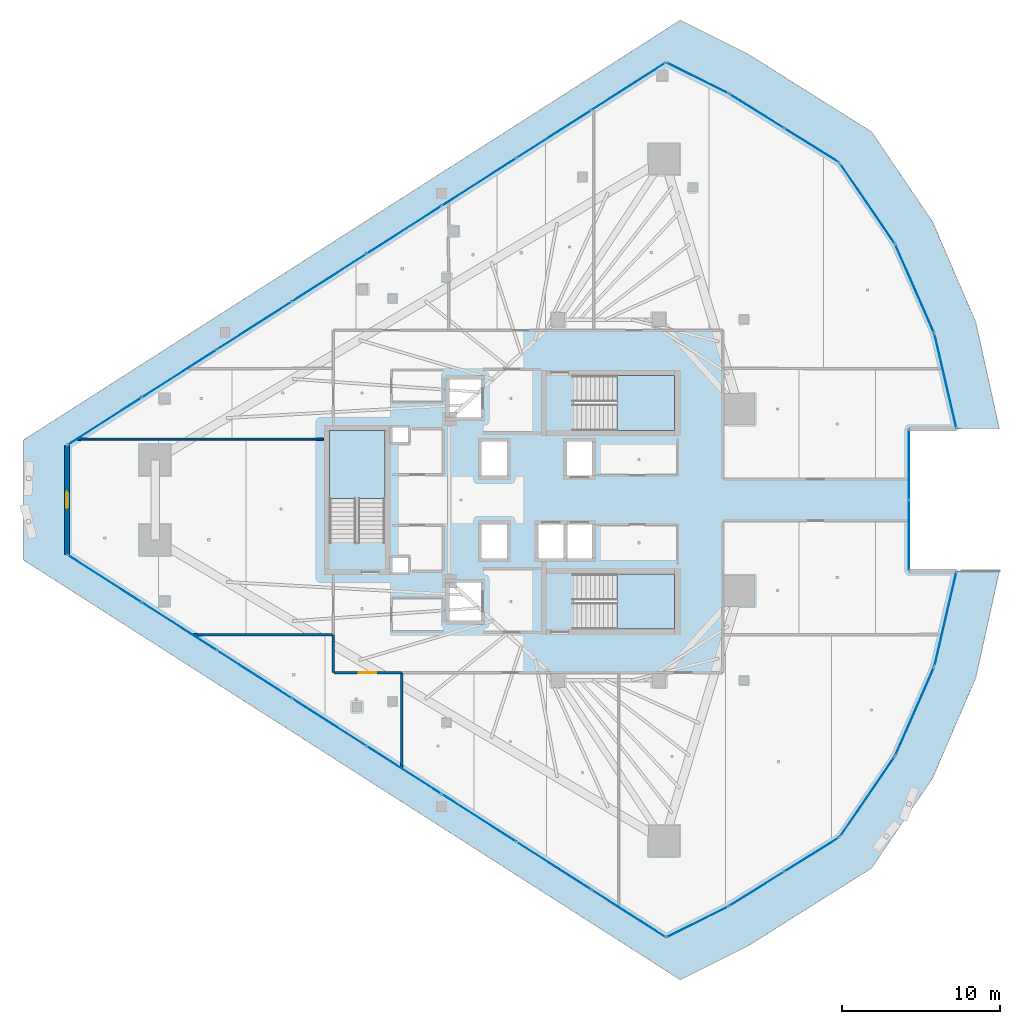
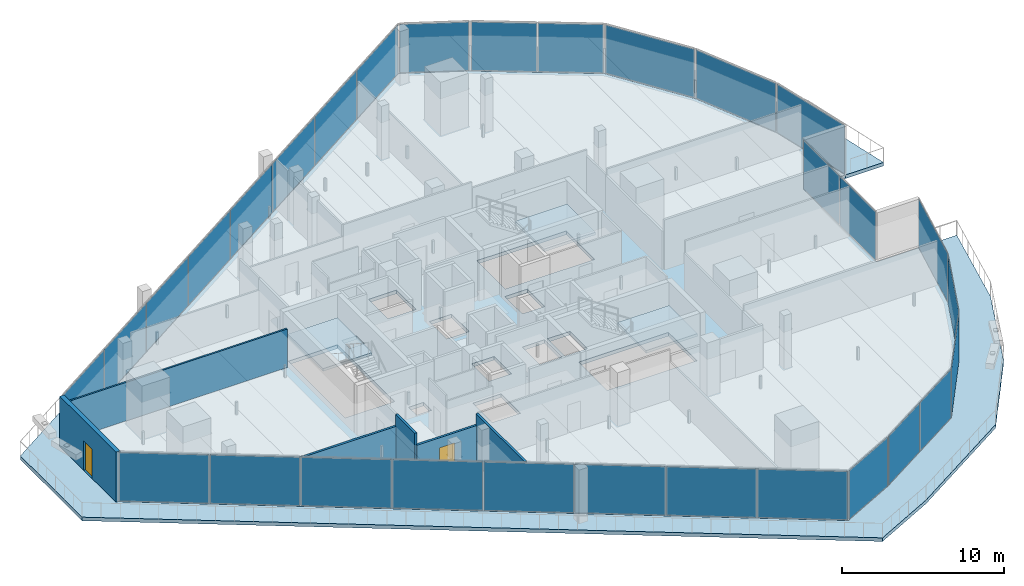
# One storey, part 24 of 37: 30 plates, 6 walls, 5 slabs, 2 doors, 2 openings, 16 elements without a shape of their own.
"""IFC4 building model written with IfcOpenShell, lengths in metres."""

from ifc_helpers import new_model, si_unit, direction, frame, frame_2d, origin, origin_2d, place, context, subcontext, project, spatial, polyline, rectangle, outline, extrude, material, layer, layer_set, type_object, element, fill, aggregate, save


model = new_model("IFC4")

# Units and contexts
model_context = context("Model", 3, precision=1e-05, world=origin(), true_north=direction((0.0, 1.0)))
body_context = subcontext(model_context, "Body", "Model", "MODEL_VIEW")
ifc_project = project(units=[si_unit("LENGTHUNIT", "METRE"), si_unit("AREAUNIT", "SQUARE_METRE"), si_unit("VOLUMEUNIT", "CUBIC_METRE"), si_unit("PLANEANGLEUNIT", "RADIAN"), si_unit("MASSUNIT", "GRAM", prefix="KILO")], contexts=[model_context])

# Site, building, storey
site_placement = place(None, origin())
site = spatial("IfcSite", under=ifc_project, at=site_placement, CompositionType="ELEMENT")
building_placement = place(site_placement, origin())
building = spatial("IfcBuilding", under=site, at=building_placement, Name="Qorvath Tower", CompositionType="ELEMENT")
storey_placement = place(building_placement, frame((0.0, 0.0, 196.949951171875)))
storey = spatial("IfcBuildingStorey", under=building, at=storey_placement, Name="L45", CompositionType="ELEMENT", Elevation=196.949951171875)

# Curtain wall, plates
ifc_material_1 = material(Name="Anodised aluminium and triple low-E glass", Category="aluminium")
ifc_layer_1 = layer(ifc_material_1, 0.179931640625)
ifc_layer_set_1 = layer_set([ifc_layer_1], Name="CW-SYS-3")
curtain_wall_type = type_object("IfcCurtainWallType", Name="CW-SYS-3", PredefinedType="NOTDEFINED", material=ifc_layer_set_1)
curtain_wall_1_placement = place(storey_placement, origin())
curtain_wall_1 = element("IfcCurtainWall", 1, at=curtain_wall_1_placement, inside=storey, type_object=curtain_wall_type, Name="Curtain Wall CW-3 CW-T-L45-2.1", PredefinedType="NOTDEFINED")
ifc_material_2 = material(Name="Low-E triple insulated glass", Category="glass")
ifc_layer_2 = layer(ifc_material_2, 0.031982421875)
ifc_layer_set_2 = layer_set([ifc_layer_2], Name="CWP-GLZ-32")
plate_type = type_object("IfcPlateType", Name="CWP-GLZ-32", PredefinedType="CURTAIN_PANEL", material=ifc_layer_set_2)
plate_1_placement = place(storey_placement, frame((-52.372802734375, -4.998779296875, 0.065185546875), z_axis=(0.0, 0.0, 1.0), x_axis=(0.842604020948, -0.538533623725, 0.0)))
plate_1 = element("IfcPlate", 2, at=plate_1_placement, type_object=plate_type, Name="CW-3 panel 1.1", PredefinedType="CURTAIN_PANEL", context=body_context, shape_type="SweptSolid", body=[
    extrude(rectangle(XDim=5.542724609375, YDim=0.031982421875, at=origin_2d()), origin(), (0.0, 0.0, 1.0), 3.64990234375),
])
plate_2_placement = place(storey_placement, frame((-47.634033203125, -8.027587890625, 0.065185546875), z_axis=(0.0, 0.0, 1.0), x_axis=(0.842604020948, -0.538533623725, 0.0)))
plate_2 = element("IfcPlate", 3, at=plate_2_placement, type_object=plate_type, Name="CW-3 panel 2.1", PredefinedType="CURTAIN_PANEL", context=body_context, shape_type="SweptSolid", body=[
    extrude(rectangle(XDim=5.5751953125, YDim=0.031982421875, at=origin_2d()), origin(), (0.0, 0.0, 1.0), 3.64990234375),
])
plate_3_placement = place(storey_placement, frame((-42.881591796875, -11.06494140625, 0.065185546875), z_axis=(0.0, 0.0, 1.0), x_axis=(0.842604020948, -0.538533623725, 0.0)))
plate_3 = element("IfcPlate", 4, at=plate_3_placement, type_object=plate_type, Name="CW-3 panel 3.1", PredefinedType="CURTAIN_PANEL", context=body_context, shape_type="SweptSolid", body=[
    extrude(rectangle(XDim=5.5751953125, YDim=0.031982421875, at=origin_2d()), origin(), (0.0, 0.0, 1.0), 3.64990234375),
])
plate_4_placement = place(storey_placement, frame((-38.129150390625, -14.1025390625, 0.065185546875), z_axis=(0.0, 0.0, 1.0), x_axis=(0.842604020948, -0.538533623725, 0.0)))
plate_4 = element("IfcPlate", 5, at=plate_4_placement, type_object=plate_type, Name="CW-3 panel 4.1", PredefinedType="CURTAIN_PANEL", context=body_context, shape_type="SweptSolid", body=[
    extrude(rectangle(XDim=5.5751953125, YDim=0.031982421875, at=origin_2d()), origin(), (0.0, 0.0, 1.0), 3.64990234375),
])
plate_5_placement = place(storey_placement, frame((-33.37646484375, -17.139892578125, 0.065185546875), z_axis=(0.0, 0.0, 1.0), x_axis=(0.842604020948, -0.538533623725, 0.0)))
plate_5 = element("IfcPlate", 6, at=plate_5_placement, type_object=plate_type, Name="CW-3 panel 5.1", PredefinedType="CURTAIN_PANEL", context=body_context, shape_type="SweptSolid", body=[
    extrude(rectangle(XDim=5.5751953125, YDim=0.031982421875, at=origin_2d()), origin(), (0.0, 0.0, 1.0), 3.64990234375),
])
plate_6_placement = place(storey_placement, frame((-28.6240234375, -20.177490234375, 0.065185546875), z_axis=(0.0, 0.0, 1.0), x_axis=(0.842604020948, -0.538533623725, 0.0)))
plate_6 = element("IfcPlate", 7, at=plate_6_placement, type_object=plate_type, Name="CW-3 panel 6.1", PredefinedType="CURTAIN_PANEL", context=body_context, shape_type="SweptSolid", body=[
    extrude(rectangle(XDim=5.5751953125, YDim=0.031982421875, at=origin_2d()), origin(), (0.0, 0.0, 1.0), 3.64990234375),
])
plate_7_placement = place(storey_placement, frame((-23.87158203125, -23.21484375, 0.065185546875), z_axis=(0.0, 0.0, 1.0), x_axis=(0.842604020948, -0.538533623725, 0.0)))
plate_7 = element("IfcPlate", 8, at=plate_7_placement, type_object=plate_type, Name="CW-3 panel 7.1", PredefinedType="CURTAIN_PANEL", context=body_context, shape_type="SweptSolid", body=[
    extrude(rectangle(XDim=5.5751953125, YDim=0.031982421875, at=origin_2d()), origin(), (0.0, 0.0, 1.0), 3.64990234375),
])
plate_8_placement = place(storey_placement, frame((-19.1328125, -26.243408203125, 0.065185546875), z_axis=(0.0, 0.0, 1.0), x_axis=(0.842604020948, -0.538533623725, 0.0)))
plate_8 = element("IfcPlate", 9, at=plate_8_placement, type_object=plate_type, Name="CW-3 panel 8.1", PredefinedType="CURTAIN_PANEL", context=body_context, shape_type="SweptSolid", body=[
    extrude(rectangle(XDim=5.542724609375, YDim=0.031982421875, at=origin_2d()), origin(), (0.0, 0.0, 1.0), 3.64990234375),
])
aggregate(curtain_wall_1, [plate_1, plate_2, plate_3, plate_4, plate_5, plate_6, plate_7, plate_8])

# Curtain wall, plate
curtain_wall_2_placement = place(storey_placement, origin())
curtain_wall_2 = element("IfcCurtainWall", 10, at=curtain_wall_2_placement, inside=storey, type_object=curtain_wall_type, Name="Curtain Wall CW-3 CW-T-L45-3.1", PredefinedType="NOTDEFINED")
plate_9_placement = place(storey_placement, frame((-14.75927734375, -26.779296875, 0.065185546875), z_axis=(0.0, 0.0, 1.0), x_axis=(0.894431699973, 0.44720457744, 0.0)))
plate_9 = element("IfcPlate", 11, at=plate_9_placement, type_object=plate_type, Name="CW-3 panel 1.1", PredefinedType="CURTAIN_PANEL", context=body_context, shape_type="SweptSolid", body=[
    extrude(rectangle(XDim=4.3056640625, YDim=0.031982421875, at=origin_2d()), origin(), (0.0, 0.0, 1.0), 3.64990234375),
])
aggregate(curtain_wall_2, [plate_9])

# Curtain wall, plates
curtain_wall_3_placement = place(storey_placement, origin())
curtain_wall_3 = element("IfcCurtainWall", 12, at=curtain_wall_3_placement, inside=storey, type_object=curtain_wall_type, Name="Curtain Wall CW-3 CW-T-L45-4.1", PredefinedType="NOTDEFINED")
plate_10_placement = place(storey_placement, frame((-11.000732421875, -24.680419921875, 0.065185546875), z_axis=(0.0, 0.0, 1.0), x_axis=(0.848493264618, 0.529206179006, 0.0)))
plate_10 = element("IfcPlate", 13, at=plate_10_placement, type_object=plate_type, Name="CW-3 panel 1.1", PredefinedType="CURTAIN_PANEL", context=body_context, shape_type="SweptSolid", body=[
    extrude(rectangle(XDim=4.0537109375, YDim=0.031982421875, at=origin_2d()), origin(), (0.0, 0.0, 1.0), 3.64990234375),
])
plate_11_placement = place(storey_placement, frame((-7.506103515625, -22.500732421875, 0.065185546875), z_axis=(0.0, 0.0, 1.0), x_axis=(0.848493264618, 0.529206179006, 0.0)))
plate_11 = element("IfcPlate", 14, at=plate_11_placement, type_object=plate_type, Name="CW-3 panel 2.1", PredefinedType="CURTAIN_PANEL", context=body_context, shape_type="SweptSolid", body=[
    extrude(rectangle(XDim=4.0537109375, YDim=0.031982421875, at=origin_2d()), origin(), (0.0, 0.0, 1.0), 3.64990234375),
])
aggregate(curtain_wall_3, [plate_10, plate_11])

# Curtain wall, plate
curtain_wall_4_placement = place(storey_placement, origin())
curtain_wall_4 = element("IfcCurtainWall", 15, at=curtain_wall_4_placement, inside=storey, type_object=curtain_wall_type, Name="Curtain Wall CW-3 CW-T-L45-5.1", PredefinedType="NOTDEFINED")
plate_12_placement = place(storey_placement, frame((-3.97705078125, -18.828857421875, 0.065185546875), z_axis=(0.0, 0.0, 1.0), x_axis=(0.56451201528, 0.825424850974, 0.0)))
plate_12 = element("IfcPlate", 16, at=plate_12_placement, type_object=plate_type, Name="CW-3 panel 1.1", PredefinedType="CURTAIN_PANEL", context=body_context, shape_type="SweptSolid", body=[
    extrude(rectangle(XDim=6.085205078125, YDim=0.031982421875, at=origin_2d()), origin(), (0.0, 0.0, 1.0), 3.64990234375),
])
aggregate(curtain_wall_4, [plate_12])

curtain_wall_5_placement = place(storey_placement, origin())
curtain_wall_5 = element("IfcCurtainWall", 17, at=curtain_wall_5_placement, inside=storey, type_object=curtain_wall_type, Name="Curtain Wall CW-3 CW-T-L45-6.1", PredefinedType="NOTDEFINED")
plate_13_placement = place(storey_placement, frame((-0.972412109375, -13.418701171875, 0.065185546875), z_axis=(0.0, 0.0, 1.0), x_axis=(0.402320695364, 0.915498802884, 0.0)))
plate_13 = element("IfcPlate", 18, at=plate_13_placement, type_object=plate_type, Name="CW-3 panel 1.1", PredefinedType="CURTAIN_PANEL", context=body_context, shape_type="SweptSolid", body=[
    extrude(rectangle(XDim=6.085205078125, YDim=0.031982421875, at=origin_2d()), origin(), (0.0, 0.0, 1.0), 3.64990234375),
])
aggregate(curtain_wall_5, [plate_13])

curtain_wall_6_placement = place(storey_placement, origin())
curtain_wall_6 = element("IfcCurtainWall", 19, at=curtain_wall_6_placement, inside=storey, type_object=curtain_wall_type, Name="Curtain Wall CW-3 CW-T-L45-7.1", PredefinedType="NOTDEFINED")
plate_14_placement = place(storey_placement, frame((0.98095703125, -7.546630859375, 0.065185546875), z_axis=(0.0, 0.0, 1.0), x_axis=(0.226271743469, 0.974064216624, 0.0)))
plate_14 = element("IfcPlate", 20, at=plate_14_placement, type_object=plate_type, Name="CW-3 panel 1.1", PredefinedType="CURTAIN_PANEL", context=body_context, shape_type="SweptSolid", body=[
    extrude(rectangle(XDim=6.085205078125, YDim=0.031982421875, at=origin_2d()), origin(), (0.0, 0.0, 1.0), 3.64990234375),
])
aggregate(curtain_wall_6, [plate_14])

# Curtain wall, plates
curtain_wall_7_placement = place(storey_placement, origin())
curtain_wall_7 = element("IfcCurtainWall", 21, at=curtain_wall_7_placement, inside=storey, type_object=curtain_wall_type, Name="Curtain Wall CW-3 CW-T-L45-9.1", PredefinedType="NOTDEFINED")
plate_15_placement = place(storey_placement, frame((-1.3291015625, -2.24365234375, 0.065185546875), z_axis=(0.0, 0.0, 1.0), x_axis=(0.0, 1.0, 0.0)))
plate_15 = element("IfcPlate", 22, at=plate_15_placement, type_object=plate_type, Name="CW-3 panel 1.1", PredefinedType="CURTAIN_PANEL", context=body_context, shape_type="SweptSolid", body=[
    extrude(rectangle(XDim=4.42236328125, YDim=0.031982421875, at=origin_2d()), origin(), (0.0, 0.0, 1.0), 3.64990234375),
])
plate_16_placement = place(storey_placement, frame((-1.3291015625, 2.24365234375, 0.065185546875), z_axis=(0.0, 0.0, 1.0), x_axis=(0.0, 1.0, 0.0)))
plate_16 = element("IfcPlate", 23, at=plate_16_placement, type_object=plate_type, Name="CW-3 panel 2.1", PredefinedType="CURTAIN_PANEL", context=body_context, shape_type="SweptSolid", body=[
    extrude(rectangle(XDim=4.42236328125, YDim=0.031982421875, at=origin_2d()), origin(), (0.0, 0.0, 1.0), 3.64990234375),
])
aggregate(curtain_wall_7, [plate_15, plate_16])

# Curtain wall, plate
curtain_wall_8_placement = place(storey_placement, origin())
curtain_wall_8 = element("IfcCurtainWall", 24, at=curtain_wall_8_placement, inside=storey, type_object=curtain_wall_type, Name="Curtain Wall CW-3 CW-T-L45-11.1", PredefinedType="NOTDEFINED")
plate_17_placement = place(storey_placement, frame((0.98095703125, 7.546630859375, 0.065185546875), z_axis=(0.0, 0.0, 1.0), x_axis=(-0.226271743469, 0.974064216624, 0.0)))
plate_17 = element("IfcPlate", 25, at=plate_17_placement, type_object=plate_type, Name="CW-3 panel 1.1", PredefinedType="CURTAIN_PANEL", context=body_context, shape_type="SweptSolid", body=[
    extrude(rectangle(XDim=6.085205078125, YDim=0.031982421875, at=origin_2d()), origin(), (0.0, 0.0, 1.0), 3.64990234375),
])
aggregate(curtain_wall_8, [plate_17])

curtain_wall_9_placement = place(storey_placement, origin())
curtain_wall_9 = element("IfcCurtainWall", 26, at=curtain_wall_9_placement, inside=storey, type_object=curtain_wall_type, Name="Curtain Wall CW-3 CW-T-L45-12.1", PredefinedType="NOTDEFINED")
plate_18_placement = place(storey_placement, frame((-0.972412109375, 13.418701171875, 0.065185546875), z_axis=(0.0, 0.0, 1.0), x_axis=(-0.402320695364, 0.915498802884, 0.0)))
plate_18 = element("IfcPlate", 27, at=plate_18_placement, type_object=plate_type, Name="CW-3 panel 1.1", PredefinedType="CURTAIN_PANEL", context=body_context, shape_type="SweptSolid", body=[
    extrude(rectangle(XDim=6.085205078125, YDim=0.031982421875, at=origin_2d()), origin(), (0.0, 0.0, 1.0), 3.64990234375),
])
aggregate(curtain_wall_9, [plate_18])

curtain_wall_10_placement = place(storey_placement, origin())
curtain_wall_10 = element("IfcCurtainWall", 28, at=curtain_wall_10_placement, inside=storey, type_object=curtain_wall_type, Name="Curtain Wall CW-3 CW-T-L45-13.1", PredefinedType="NOTDEFINED")
plate_19_placement = place(storey_placement, frame((-3.97705078125, 18.828857421875, 0.065185546875), z_axis=(0.0, 0.0, 1.0), x_axis=(-0.56451201528, 0.825424850974, 0.0)))
plate_19 = element("IfcPlate", 29, at=plate_19_placement, type_object=plate_type, Name="CW-3 panel 1.1", PredefinedType="CURTAIN_PANEL", context=body_context, shape_type="SweptSolid", body=[
    extrude(rectangle(XDim=6.085205078125, YDim=0.031982421875, at=origin_2d()), origin(), (0.0, 0.0, 1.0), 3.64990234375),
])
aggregate(curtain_wall_10, [plate_19])

# Curtain wall, plates
curtain_wall_11_placement = place(storey_placement, origin())
curtain_wall_11 = element("IfcCurtainWall", 30, at=curtain_wall_11_placement, inside=storey, type_object=curtain_wall_type, Name="Curtain Wall CW-3 CW-T-L45-14.1", PredefinedType="NOTDEFINED")
plate_20_placement = place(storey_placement, frame((-7.506103515625, 22.500732421875, 0.065185546875), z_axis=(0.0, 0.0, 1.0), x_axis=(-0.848493264618, 0.529206179006, 0.0)))
plate_20 = element("IfcPlate", 31, at=plate_20_placement, type_object=plate_type, Name="CW-3 panel 1.1", PredefinedType="CURTAIN_PANEL", context=body_context, shape_type="SweptSolid", body=[
    extrude(rectangle(XDim=4.0537109375, YDim=0.031982421875, at=origin_2d()), origin(), (0.0, 0.0, 1.0), 3.64990234375),
])
plate_21_placement = place(storey_placement, frame((-11.000732421875, 24.680419921875, 0.065185546875), z_axis=(0.0, 0.0, 1.0), x_axis=(-0.848493264618, 0.529206179006, 0.0)))
plate_21 = element("IfcPlate", 32, at=plate_21_placement, type_object=plate_type, Name="CW-3 panel 2.1", PredefinedType="CURTAIN_PANEL", context=body_context, shape_type="SweptSolid", body=[
    extrude(rectangle(XDim=4.0537109375, YDim=0.031982421875, at=origin_2d()), origin(), (0.0, 0.0, 1.0), 3.64990234375),
])
aggregate(curtain_wall_11, [plate_20, plate_21])

# Curtain wall, plate
curtain_wall_12_placement = place(storey_placement, origin())
curtain_wall_12 = element("IfcCurtainWall", 33, at=curtain_wall_12_placement, inside=storey, type_object=curtain_wall_type, Name="Curtain Wall CW-3 CW-T-L45-15.1", PredefinedType="NOTDEFINED")
plate_22_placement = place(storey_placement, frame((-14.75927734375, 26.779296875, 0.065185546875), z_axis=(0.0, 0.0, 1.0), x_axis=(-0.894431699973, 0.44720457744, 0.0)))
plate_22 = element("IfcPlate", 34, at=plate_22_placement, type_object=plate_type, Name="CW-3 panel 1.1", PredefinedType="CURTAIN_PANEL", context=body_context, shape_type="SweptSolid", body=[
    extrude(rectangle(XDim=4.3056640625, YDim=0.031982421875, at=origin_2d()), origin(), (0.0, 0.0, 1.0), 3.64990234375),
])
aggregate(curtain_wall_12, [plate_22])

# Curtain wall, plates
curtain_wall_13_placement = place(storey_placement, origin())
curtain_wall_13 = element("IfcCurtainWall", 35, at=curtain_wall_13_placement, inside=storey, type_object=curtain_wall_type, Name="Curtain Wall CW-3 CW-T-L45-16.1", PredefinedType="NOTDEFINED")
plate_23_placement = place(storey_placement, frame((-19.1328125, 26.243408203125, 0.065185546875), z_axis=(0.0, 0.0, 1.0), x_axis=(-0.842604020948, -0.538533623725, 0.0)))
plate_23 = element("IfcPlate", 36, at=plate_23_placement, type_object=plate_type, Name="CW-3 panel 1.1", PredefinedType="CURTAIN_PANEL", context=body_context, shape_type="SweptSolid", body=[
    extrude(rectangle(XDim=5.542724609375, YDim=0.031982421875, at=origin_2d()), origin(), (0.0, 0.0, 1.0), 3.64990234375),
])
plate_24_placement = place(storey_placement, frame((-23.87158203125, 23.21484375, 0.065185546875), z_axis=(0.0, 0.0, 1.0), x_axis=(-0.842604020948, -0.538533623725, 0.0)))
plate_24 = element("IfcPlate", 37, at=plate_24_placement, type_object=plate_type, Name="CW-3 panel 2.1", PredefinedType="CURTAIN_PANEL", context=body_context, shape_type="SweptSolid", body=[
    extrude(rectangle(XDim=5.5751953125, YDim=0.031982421875, at=origin_2d()), origin(), (0.0, 0.0, 1.0), 3.64990234375),
])
plate_25_placement = place(storey_placement, frame((-28.6240234375, 20.177490234375, 0.065185546875), z_axis=(0.0, 0.0, 1.0), x_axis=(-0.842604020948, -0.538533623725, 0.0)))
plate_25 = element("IfcPlate", 38, at=plate_25_placement, type_object=plate_type, Name="CW-3 panel 3.1", PredefinedType="CURTAIN_PANEL", context=body_context, shape_type="SweptSolid", body=[
    extrude(rectangle(XDim=5.5751953125, YDim=0.031982421875, at=origin_2d()), origin(), (0.0, 0.0, 1.0), 3.64990234375),
])
plate_26_placement = place(storey_placement, frame((-33.37646484375, 17.139892578125, 0.065185546875), z_axis=(0.0, 0.0, 1.0), x_axis=(-0.842604020948, -0.538533623725, 0.0)))
plate_26 = element("IfcPlate", 39, at=plate_26_placement, type_object=plate_type, Name="CW-3 panel 4.1", PredefinedType="CURTAIN_PANEL", context=body_context, shape_type="SweptSolid", body=[
    extrude(rectangle(XDim=5.5751953125, YDim=0.031982421875, at=origin_2d()), origin(), (0.0, 0.0, 1.0), 3.64990234375),
])
plate_27_placement = place(storey_placement, frame((-38.129150390625, 14.1025390625, 0.065185546875), z_axis=(0.0, 0.0, 1.0), x_axis=(-0.842604020948, -0.538533623725, 0.0)))
plate_27 = element("IfcPlate", 40, at=plate_27_placement, type_object=plate_type, Name="CW-3 panel 5.1", PredefinedType="CURTAIN_PANEL", context=body_context, shape_type="SweptSolid", body=[
    extrude(rectangle(XDim=5.5751953125, YDim=0.031982421875, at=origin_2d()), origin(), (0.0, 0.0, 1.0), 3.64990234375),
])
plate_28_placement = place(storey_placement, frame((-42.881591796875, 11.06494140625, 0.065185546875), z_axis=(0.0, 0.0, 1.0), x_axis=(-0.842604020948, -0.538533623725, 0.0)))
plate_28 = element("IfcPlate", 41, at=plate_28_placement, type_object=plate_type, Name="CW-3 panel 6.1", PredefinedType="CURTAIN_PANEL", context=body_context, shape_type="SweptSolid", body=[
    extrude(rectangle(XDim=5.5751953125, YDim=0.031982421875, at=origin_2d()), origin(), (0.0, 0.0, 1.0), 3.64990234375),
])
plate_29_placement = place(storey_placement, frame((-47.634033203125, 8.027587890625, 0.065185546875), z_axis=(0.0, 0.0, 1.0), x_axis=(-0.842604020948, -0.538533623725, 0.0)))
plate_29 = element("IfcPlate", 42, at=plate_29_placement, type_object=plate_type, Name="CW-3 panel 7.1", PredefinedType="CURTAIN_PANEL", context=body_context, shape_type="SweptSolid", body=[
    extrude(rectangle(XDim=5.5751953125, YDim=0.031982421875, at=origin_2d()), origin(), (0.0, 0.0, 1.0), 3.64990234375),
])
plate_30_placement = place(storey_placement, frame((-52.372802734375, 4.998779296875, 0.065185546875), z_axis=(0.0, 0.0, 1.0), x_axis=(-0.842604020948, -0.538533623725, 0.0)))
plate_30 = element("IfcPlate", 43, at=plate_30_placement, type_object=plate_type, Name="CW-3 panel 8.1", PredefinedType="CURTAIN_PANEL", context=body_context, shape_type="SweptSolid", body=[
    extrude(rectangle(XDim=5.542724609375, YDim=0.031982421875, at=origin_2d()), origin(), (0.0, 0.0, 1.0), 3.64990234375),
])
aggregate(curtain_wall_13, [plate_23, plate_24, plate_25, plate_26, plate_27, plate_28, plate_29, plate_30])

# Stair, slab
ifc_material_3 = material(Name="Concrete C50/60", Category="concrete")
stair_type = type_object("IfcStairType", Name="ST-H405", PredefinedType="HALF_TURN_STAIR", material=ifc_material_3)
stair_1_placement = place(storey_placement, origin())
stair_1 = element("IfcStair", 44, at=stair_1_placement, inside=storey, type_object=stair_type, Name="L45 Tower Exit Stair 1", PredefinedType="HALF_TURN_STAIR")
ifc_material_4 = material(Name="Concrete C50/60", Category="concrete")
ifc_layer_3 = layer(ifc_material_4, 0.199951171875)
ifc_layer_set_3 = layer_set([ifc_layer_3], Name="SL-LND-200")
slab_type_1 = type_object("IfcSlabType", Name="SL-LND-200", PredefinedType="LANDING", material=ifc_layer_set_3)
slab_1_placement = place(storey_placement, frame((0.0, 0.0, 1.824951171875)))
slab_1 = element("IfcSlab", 45, at=slab_1_placement, type_object=slab_type_1, Name="TS1 landing 1", PredefinedType="LANDING", context=body_context, shape_type="SweptSolid", body=[
    extrude(outline(polyline([(-19.8701171875, 4.39990234375), (-16.199951171875, 4.39990234375), (-16.199951171875, 7.909912109375), (-19.8701171875, 7.909912109375), (-19.8701171875, 4.39990234375)])), origin(), (0.0, 0.0, 1.0), 0.2001953125),
])
aggregate(stair_1, [slab_1])

stair_2_placement = place(storey_placement, origin())
stair_2 = element("IfcStair", 46, at=stair_2_placement, inside=storey, type_object=stair_type, Name="L45 Tower Exit Stair 2", PredefinedType="HALF_TURN_STAIR")
slab_2_placement = place(storey_placement, frame((0.0, 0.0, 1.824951171875)))
slab_2 = element("IfcSlab", 47, at=slab_2_placement, type_object=slab_type_1, Name="TS2 landing 1", PredefinedType="LANDING", context=body_context, shape_type="SweptSolid", body=[
    extrude(outline(polyline([(-19.8701171875, -8.199951171875), (-16.199951171875, -8.199951171875), (-16.199951171875, -4.68994140625), (-19.8701171875, -4.68994140625), (-19.8701171875, -8.199951171875)])), origin(), (0.0, 0.0, 1.0), 0.2001953125),
])
aggregate(stair_2, [slab_2])

stair_3_placement = place(storey_placement, origin())
stair_3 = element("IfcStair", 48, at=stair_3_placement, inside=storey, type_object=stair_type, Name="L45 Tower Exit Stair 3", PredefinedType="HALF_TURN_STAIR")
slab_3_placement = place(storey_placement, frame((0.0, 0.0, 1.824951171875)))
slab_3 = element("IfcSlab", 49, at=slab_3_placement, type_object=slab_type_1, Name="TS3 landing 1", PredefinedType="LANDING", context=body_context, shape_type="SweptSolid", body=[
    extrude(outline(polyline([(-34.60009765625, 0.080078125), (-34.60009765625, 4.39990234375), (-38.110107421875, 4.39990234375), (-38.110107421875, 0.080078125), (-34.60009765625, 0.080078125)])), origin(), (0.0, 0.0, 1.0), 0.2001953125),
])
aggregate(stair_3, [slab_3])

# Slabs
ifc_material_5 = material(Name="Precast concrete C45/55", Category="concrete")
ifc_layer_4 = layer(ifc_material_5, 0.27001953125)
ifc_layer_set_4 = layer_set([ifc_layer_4], Name="SL-LOG-270")
slab_type_2 = type_object("IfcSlabType", Name="SL-LOG-270", PredefinedType="FLOOR", material=ifc_layer_set_4)
slab_4_placement = place(storey_placement, frame((0.0, 0.0, -0.27001953125)))
element("IfcSlab", 50, at=slab_4_placement, inside=storey, type_object=slab_type_2, Name="Tower L45 Perimeter Loggia and Terrace Slab", PredefinedType="FLOOR", context=body_context, shape_type="SweptSolid", body=[
    extrude(outline(polyline([(1.68408203125, -4.519775390625), (0.27783203125, -10.57373046875), (-2.22265625, -16.263671875), (-5.731201171875, -21.393798828125), (-12.775634765625, -25.787353515625), (-16.742919921875, -27.77099609375), (-54.7626953125, -3.471435546875), (-54.7626953125, 3.471435546875), (-16.742919921875, 27.77099609375), (-12.775634765625, 25.787353515625), (-5.731201171875, 21.393798828125), (-2.22265625, 16.263671875), (0.27783203125, 10.57373046875), (1.68408203125, 4.519775390625), (4.400390625, 4.519775390625), (2.90478515625, 11.277587890625), (0.16748046875, 17.634521484375), (-3.714111328125, 23.364990234375), (-11.505126953125, 28.264892578125), (-15.853515625, 30.439208984375), (-57.5263671875, 3.804931640625), (-57.5263671875, -3.804931640625), (-15.853515625, -30.439208984375), (-11.505126953125, -28.264892578125), (-3.714111328125, -23.364990234375), (0.16748046875, -17.634521484375), (2.90478515625, -11.277587890625), (4.400390625, -4.519775390625), (1.68408203125, -4.519775390625)])), origin(), (0.0, 0.0, 1.0), 0.27001953125),
])
ifc_material_6 = material(Name="Concrete C45/55", Category="concrete")
ifc_layer_5 = layer(ifc_material_6, 0.27001953125)
ifc_layer_set_5 = layer_set([ifc_layer_5], Name="SL-MID-270")
slab_type_3 = type_object("IfcSlabType", Name="SL-MID-270", PredefinedType="FLOOR", material=ifc_layer_set_5)
slab_5_placement = place(storey_placement, frame((0.0, 0.0, -0.27001953125)))
element("IfcSlab", 51, at=slab_5_placement, inside=storey, type_object=slab_type_3, Name="Tower L45 Interior Floor Slab", PredefinedType="FLOOR", context=body_context, shape_type="SweptSolid", body=[
    extrude(outline(polyline([(-54.7626953125, 3.471435546875), (-54.7626953125, -3.471435546875), (-16.742919921875, -27.77099609375), (-12.775634765625, -25.787353515625), (-5.731201171875, -21.393798828125), (-2.22265625, -16.263671875), (0.27783203125, -10.57373046875), (1.68408203125, -4.519775390625), (-1.3291015625, -4.519775390625), (-1.3291015625, 4.519775390625), (1.68408203125, 4.519775390625), (0.27783203125, 10.57373046875), (-2.22265625, 16.263671875), (-5.731201171875, 21.393798828125), (-12.775634765625, 25.787353515625), (-16.742919921875, 27.77099609375), (-54.7626953125, 3.471435546875)]), holes=[polyline([(-16.2451171875, -8.199951171875), (-22.625, -8.199951171875), (-22.625, -4.68994140625), (-16.2451171875, -4.68994140625), (-16.2451171875, -8.199951171875)]), polyline([(-22.625, 4.39990234375), (-22.625, 7.909912109375), (-16.2451171875, 7.909912109375), (-16.2451171875, 4.39990234375), (-22.625, 4.39990234375)]), polyline([(-21.449951171875, -3.699951171875), (-23.050048828125, -3.699951171875), (-23.050048828125, -1.550048828125), (-21.449951171875, -1.550048828125), (-21.449951171875, -3.699951171875)]), polyline([(-23.050048828125, 1.550048828125), (-23.050048828125, 3.699951171875), (-21.449951171875, 3.699951171875), (-21.449951171875, 1.550048828125), (-23.050048828125, 1.550048828125)]), polyline([(-24.85009765625, -3.699951171875), (-24.85009765625, -1.550048828125), (-23.25, -1.550048828125), (-23.25, -3.699951171875), (-24.85009765625, -3.699951171875)]), polyline([(-28.449951171875, -3.699951171875), (-28.449951171875, -1.550048828125), (-26.85009765625, -1.550048828125), (-26.85009765625, -3.699951171875), (-28.449951171875, -3.699951171875)]), polyline([(-26.85009765625, 1.550048828125), (-28.449951171875, 1.550048828125), (-28.449951171875, 3.699951171875), (-26.85009765625, 3.699951171875), (-26.85009765625, 1.550048828125)]), polyline([(-28.5, -7.64990234375), (-30.5, -7.64990234375), (-30.5, -5.25), (-28.5, -5.25), (-28.5, -7.64990234375)]), polyline([(-30.5, 5.25), (-30.5, 7.64990234375), (-28.5, 7.64990234375), (-28.5, 5.25), (-30.5, 5.25)]), polyline([(-34.14990234375, -4.6201171875), (-34.14990234375, -3.64990234375), (-33.10009765625, -3.64990234375), (-33.10009765625, -4.6201171875), (-34.14990234375, -4.6201171875)]), polyline([(-34.14990234375, 3.64990234375), (-34.14990234375, 4.6201171875), (-33.10009765625, 4.6201171875), (-33.10009765625, 3.64990234375), (-34.14990234375, 3.64990234375)]), polyline([(-34.60009765625, -2.675048828125), (-38.110107421875, -2.675048828125), (-38.110107421875, 4.35498046875), (-34.60009765625, 4.35498046875), (-34.60009765625, -2.675048828125)])]), origin(), (0.0, 0.0, 1.0), 0.27001953125),
])

# Wall
ifc_material_7 = material(Name="Double acoustic gypsum board on steel studs", Category="steel")
ifc_layer_6 = layer(ifc_material_7, 0.159912109375)
ifc_layer_set_6 = layer_set([ifc_layer_6], Name="IW-ACOUSTIC-160")
wall_type_1 = type_object("IfcWallType", Name="IW-ACOUSTIC-160", PredefinedType="PARTITIONING", material=ifc_layer_set_6)
wall_1_placement = place(storey_placement, frame((-33.5185546875, -16.96923828125, 0.0), z_axis=(0.0, 0.0, 1.0), x_axis=(0.0, 1.0, 0.0)))
element("IfcWall", 52, at=wall_1_placement, inside=storey, type_object=wall_type_1, Name="Interior Partition IW-T1-L45-034", PredefinedType="PARTITIONING", context=body_context, shape_type="SweptSolid", body=[
    extrude(rectangle(XDim=5.986328125, YDim=0.159912109375, at=frame_2d((2.9931640625, 0.0))), origin(), (0.0, 0.0, 1.0), 3.780029296875),
])

# Wall, opening, door
wall_2_placement = place(storey_placement, frame((-33.543701171875, -10.9580078125, 0.0), z_axis=(0.0, 0.0, 1.0), x_axis=(-1.0, 0.0, 0.0)))
wall_2 = element("IfcWall", 53, at=wall_2_placement, inside=storey, type_object=wall_type_1, Name="Interior Partition IW-T1-L45-035", PredefinedType="PARTITIONING", context=body_context, shape_type="SweptSolid", body=[
    extrude(rectangle(XDim=4.289306640625, YDim=0.159912109375, at=frame_2d((2.14453125, 0.0))), origin(), (0.0, 0.0, 1.0), 2.89990234375),
])
opening_1_placement = place(wall_2_placement, frame((1.5947265625, 0.0, 0.0)))
opening_1 = element("IfcOpeningElement", 54, at=opening_1_placement, cuts=wall_2, Name="Opening D-T1-L45-10", PredefinedType="OPENING", context=body_context, shape_type="SweptSolid", body=[
    extrude(rectangle(XDim=1.10009765625, YDim=2.14990234375, at=frame_2d((0.550048828125, 1.074951171875))), frame((0.0, 0.08984375, 0.0), z_axis=(0.0, -1.0, 0.0), x_axis=(1.0, 0.0, 0.0)), (0.0, 0.0, 1.0), 0.179931640625),
])
ifc_material_8 = material(Name="Anodised aluminium acoustic framed glass", Category="aluminium")
door_type_1 = type_object("IfcDoorType", Name="D-03", OperationType="NOTDEFINED", PredefinedType="DOOR", material=ifc_material_8)
door_1_placement = place(opening_1_placement, origin())
door_1 = element("IfcDoor", 55, at=door_1_placement, inside=storey, type_object=door_type_1, Name="L45-04 Digital Visualization Suite Door D-T1-L45-10", OperationType="SINGLE_SWING_LEFT", OverallHeight=2.14990234375, OverallWidth=1.10009765625, PredefinedType="DOOR", context=body_context, shape_type="SweptSolid", body=[
    extrude(rectangle(XDim=1.10009765625, YDim=2.14990234375, at=frame_2d((0.550048828125, 1.074951171875))), frame((0.0, 0.02490234375, 0.0), z_axis=(0.0, -1.0, 0.0), x_axis=(1.0, 0.0, 0.0)), (0.0, 0.0, 1.0), 0.050048828125),
])
fill(opening_1, door_1)

# Walls
wall_3_placement = place(storey_placement, frame((-37.85791015625, -10.93310546875, 0.0), z_axis=(0.0, 0.0, 1.0), x_axis=(0.0, 1.0, 0.0)))
element("IfcWall", 56, at=wall_3_placement, inside=storey, type_object=wall_type_1, Name="Interior Partition IW-T1-L45-036", PredefinedType="PARTITIONING", context=body_context, shape_type="SweptSolid", body=[
    extrude(rectangle(XDim=2.358154296875, YDim=0.159912109375, at=frame_2d((1.17919921875, 0.0))), origin(), (0.0, 0.0, 1.0), 3.780029296875),
])
wall_4_placement = place(storey_placement, frame((-37.8828125, -8.550048828125, 0.0), z_axis=(0.0, 0.0, 1.0), x_axis=(-1.0, 0.0, 0.0)))
element("IfcWall", 57, at=wall_4_placement, inside=storey, type_object=wall_type_1, Name="Interior Partition IW-T1-L45-037", PredefinedType="PARTITIONING", context=body_context, shape_type="SweptSolid", body=[
    extrude(rectangle(XDim=8.853759765625, YDim=0.159912109375, at=frame_2d((4.4267578125, 0.0))), origin(), (0.0, 0.0, 1.0), 2.89990234375),
])
ifc_material_9 = material(Name="Gypsum board on metal studs with mineral wool", Category="gypsum")
ifc_layer_7 = layer(ifc_material_9, 0.125)
ifc_layer_set_7 = layer_set([ifc_layer_7], Name="IW-PART-125")
wall_type_2 = type_object("IfcWallType", Name="IW-PART-125", PredefinedType="PARTITIONING", material=ifc_layer_set_7)
wall_5_placement = place(storey_placement, frame((-38.492919921875, 3.863037109375, 0.0), z_axis=(0.0, 0.0, 1.0), x_axis=(-0.999999979257, -0.000203681939, 0.0)))
element("IfcWall", 58, at=wall_5_placement, inside=storey, type_object=wall_type_2, Name="Interior Partition IW-T1-L45-048", PredefinedType="PARTITIONING", context=body_context, shape_type="SweptSolid", body=[
    extrude(rectangle(XDim=15.582275390625, YDim=0.125, at=frame_2d((7.791015625, 0.0))), origin(), (0.0, 0.0, 1.0), 2.89990234375),
])

# Wall, opening, door
ifc_material_10 = material(Name="Precast concrete C45/55", Category="concrete")
ifc_layer_8 = layer(ifc_material_10, 0.300048828125)
ifc_layer_set_8 = layer_set([ifc_layer_8], Name="WL-EW-LOG-300")
wall_type_3 = type_object("IfcWallType", Name="WL-EW-LOG-300", PredefinedType="SOLIDWALL", material=ifc_layer_set_8)
wall_6_placement = place(storey_placement, frame((-54.7626953125, -3.471435546875, 0.0), z_axis=(0.0, 0.0, 1.0), x_axis=(0.0, 1.0, 0.0)))
wall_6 = element("IfcWall", 59, at=wall_6_placement, inside=storey, type_object=wall_type_3, Name="Tower Precast Loggia Wall L45-1.1", PredefinedType="SOLIDWALL", context=body_context, shape_type="SweptSolid", body=[
    extrude(rectangle(XDim=6.94287109375, YDim=0.300048828125, at=frame_2d((3.471435546875, 0.0))), origin(), (0.0, 0.0, 1.0), 3.780029296875),
])
opening_2_placement = place(wall_6_placement, frame((2.9462890625, 0.0, 0.0)))
opening_2 = element("IfcOpeningElement", 60, at=opening_2_placement, cuts=wall_6, Name="Opening ED-L45-01", PredefinedType="OPENING", context=body_context, shape_type="SweptSolid", body=[
    extrude(rectangle(XDim=1.050048828125, YDim=2.199951171875, at=frame_2d((0.52490234375, 1.10009765625))), frame((0.0, 0.16015625, 0.0), z_axis=(0.0, -1.0, 0.0), x_axis=(1.0, 0.0, 0.0)), (0.0, 0.0, 1.0), 0.320068359375),
])
ifc_material_11 = material(Name="Thermally broken aluminium glazed door", Category="aluminium")
door_type_2 = type_object("IfcDoorType", Name="ED-LOG", OperationType="NOTDEFINED", PredefinedType="DOOR", material=ifc_material_11)
door_2_placement = place(opening_2_placement, origin())
door_2 = element("IfcDoor", 61, at=door_2_placement, inside=storey, type_object=door_type_2, Name="L45 Recessed Loggia Access Door 1", OperationType="SINGLE_SWING_RIGHT", OverallHeight=2.199951171875, OverallWidth=1.050048828125, PredefinedType="DOOR", context=body_context, shape_type="SweptSolid", body=[
    extrude(rectangle(XDim=1.050048828125, YDim=2.199951171875, at=frame_2d((0.52490234375, 1.10009765625))), frame((0.0, 0.02490234375, 0.0), z_axis=(0.0, -1.0, 0.0), x_axis=(1.0, 0.0, 0.0)), (0.0, 0.0, 1.0), 0.050048828125),
])
fill(opening_2, door_2)

save(model, "model.ifc")
